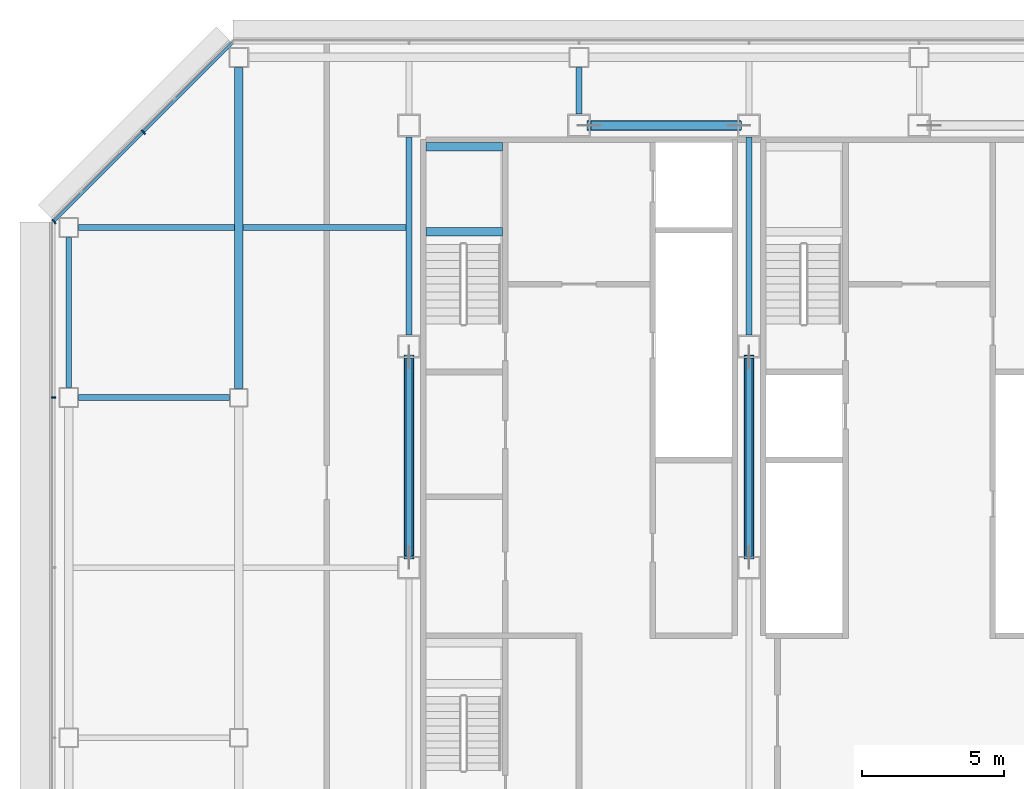
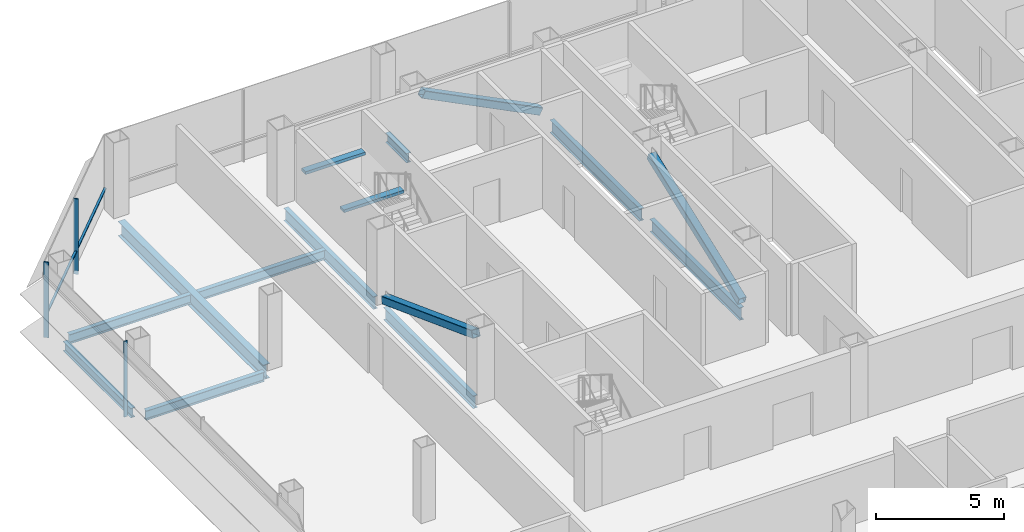
# One storey, part 11 of 24: 12 beams, 7 members, 2 elements without a shape of their own.
"""IFC4 building model written with IfcOpenShell, lengths in metres."""

from ifc_helpers import new_model, si_unit, direction, frame, origin, origin_2d, place, context, subcontext, project, spatial, rectangle, hollow_rectangle, i_section, extrude, material, material_profile, profile_set, type_object, element, aggregate, save


model = new_model("IFC4")

# Units and contexts
model_context = context("Model", 3, precision=1e-05, world=origin(), true_north=direction((0.0, 1.0)))
body_context = subcontext(model_context, "Body", "Model", "MODEL_VIEW")
ifc_project = project(units=[si_unit("LENGTHUNIT", "METRE"), si_unit("AREAUNIT", "SQUARE_METRE"), si_unit("VOLUMEUNIT", "CUBIC_METRE"), si_unit("PLANEANGLEUNIT", "RADIAN"), si_unit("MASSUNIT", "GRAM", prefix="KILO")], contexts=[model_context])

# Site, building, storey
site_placement = place(None, origin())
site = spatial("IfcSite", under=ifc_project, at=site_placement, CompositionType="ELEMENT")
building_placement = place(site_placement, origin())
building = spatial("IfcBuilding", under=site, at=building_placement, Name="Sorahane Residences", CompositionType="ELEMENT")
storey_placement = place(building_placement, frame((0.0, 0.0, 178.0)))
storey = spatial("IfcBuildingStorey", under=building, at=storey_placement, Name="L41", CompositionType="ELEMENT", Elevation=178.0)

# Members
ifc_material_1 = material(Name="Steel Q355B", Category="steel")
ifc_material_profile_1 = material_profile(ifc_material_1, hollow_rectangle(XDim=0.35009765625, YDim=0.35009765625, WallThickness=0.01806640625, InnerFilletRadius=0.009033203125, OuterFilletRadius=0.027099609375, at=origin_2d()), Name="RHS 350x350x18")
ifc_profile_set_1 = profile_set([ifc_material_profile_1], Name="Steel Q355B")
member_type_1 = type_object("IfcMemberType", Name="Core brace RHS 350x350x18 Q355B", PredefinedType="BRACE", material=ifc_profile_set_1)
member_1_placement = place(storey_placement, frame((17.647216796875, 45.60009765625, 0.151123046875), z_axis=(-0.893039246852, 0.0, 0.449978781258), x_axis=(0.0, -1.0, 0.0)))
element("IfcMember", 1, at=member_1_placement, inside=storey, type_object=member_type_1, Name="Core brace L41 y45.6-2", PredefinedType="BRACE", context=body_context, shape_type="SweptSolid", body=[
    extrude(hollow_rectangle(XDim=0.35009765625, YDim=0.35009765625, WallThickness=0.01806640625, InnerFilletRadius=0.009033203125, OuterFilletRadius=0.027099609375, at=origin_2d()), origin(), (0.0, 0.0, 1.0), 5.928466796875),
])
for number, where, z_axis, x_axis, name in (
    (2, (6.0, 37.436767578125, 0.1611328125), (0.0, -0.936540224974, 0.350560133222), (1.0, 0.0, 0.0), "Core brace L41 x6-2"),
    (3, (18.0, 30.36328125, 0.1611328125), (0.0, 0.936540224974, 0.350560133222), (-1.0, 0.0, 0.0), "Core brace L41 x18-1"),
):
    element("IfcMember", number, at=place(storey_placement, frame(where, z_axis=z_axis, x_axis=x_axis)), inside=storey, type_object=member_type_1, Name=name, PredefinedType="BRACE", context=body_context, shape_type="SweptSolid", body=[
        extrude(hollow_rectangle(XDim=0.35009765625, YDim=0.35009765625, WallThickness=0.01806640625, InnerFilletRadius=0.009033203125, OuterFilletRadius=0.027099609375, at=origin_2d()), origin(), (0.0, 0.0, 1.0), 7.552734375),
    ])

# Curtain wall, member
ifc_material_2 = material(Name="Dark low-e glass and black anodised aluminium", Category="aluminium")
curtain_wall_type_1 = type_object("IfcCurtainWallType", Name="Curtain wall CW-1 Typical unitised wall", PredefinedType="NOTDEFINED", material=ifc_material_2)
curtain_wall_1_placement = place(storey_placement, origin())
curtain_wall_1 = element("IfcCurtainWall", 4, at=curtain_wall_1_placement, inside=storey, type_object=curtain_wall_type_1, Name="CW-1 curtain wall L41 W1", PredefinedType="NOTDEFINED")
ifc_material_3 = material(Name="Black anodised aluminium", Category="aluminium")
ifc_material_profile_2 = material_profile(ifc_material_3, rectangle(XDim=0.159912109375, YDim=0.050048828125, at=origin_2d()), Name="Curtain wall mullion CW-1 black anodised aluminium 50x160")
ifc_profile_set_2 = profile_set([ifc_material_profile_2], Name="Black anodised aluminium")
member_type_2 = type_object("IfcMemberType", Name="Curtain wall mullion CW-1 black anodised aluminium 50x160", PredefinedType="MULLION", material=ifc_profile_set_2)
member_2_placement = place(storey_placement, frame((-6.5400390625, 36.0, -0.179931640625), z_axis=(0.0, 0.0, 1.0), x_axis=(-1.0, 0.0, 0.0)))
member_2 = element("IfcMember", 5, at=member_2_placement, type_object=member_type_2, Name="CW-1 mullion L41 W1.2", PredefinedType="MULLION", context=body_context, shape_type="SweptSolid", body=[
    extrude(rectangle(XDim=0.159912109375, YDim=0.050048828125, at=origin_2d()), origin(), (0.0, 0.0, 1.0), 3.599853515625),
])
aggregate(curtain_wall_1, [member_2])

# Curtain wall, members
ifc_material_4 = material(Name="Dark low-e glass and black anodised aluminium", Category="aluminium")
curtain_wall_type_2 = type_object("IfcCurtainWallType", Name="Curtain wall CW-2 Chamfer unitised wall", PredefinedType="NOTDEFINED", material=ifc_material_4)
curtain_wall_2_placement = place(storey_placement, origin())
curtain_wall_2 = element("IfcCurtainWall", 6, at=curtain_wall_2_placement, inside=storey, type_object=curtain_wall_type_2, Name="CW-2 curtain wall L41 NW1", PredefinedType="NOTDEFINED")
ifc_material_5 = material(Name="Black anodised aluminium", Category="aluminium")
ifc_material_profile_3 = material_profile(ifc_material_5, rectangle(XDim=0.199951171875, YDim=0.050048828125, at=origin_2d()), Name="Curtain wall mullion CW-2 black anodised aluminium 50x200")
ifc_profile_set_3 = profile_set([ifc_material_profile_3], Name="Black anodised aluminium")
member_type_3 = type_object("IfcMemberType", Name="Curtain wall mullion CW-2 black anodised aluminium 50x200", PredefinedType="MULLION", material=ifc_profile_set_3)
member_3_placement = place(storey_placement, frame((-3.36767578125, 45.36767578125, -0.179931640625), z_axis=(0.0, 0.0, 1.0), x_axis=(-0.707106781187, 0.707106781187, 0.0)))
member_3 = element("IfcMember", 7, at=member_3_placement, type_object=member_type_3, Name="CW-2 mullion L41 NW1.2", PredefinedType="MULLION", context=body_context, shape_type="SweptSolid", body=[
    extrude(rectangle(XDim=0.199951171875, YDim=0.050048828125, at=origin_2d()), origin(), (0.0, 0.0, 1.0), 3.599853515625),
])
member_4_placement = place(storey_placement, frame((-6.525634765625, 42.209716796875, -0.179931640625), z_axis=(0.0, 0.0, 1.0), x_axis=(-0.707106781187, 0.707106781187, 0.0)))
member_4 = element("IfcMember", 8, at=member_4_placement, type_object=member_type_3, Name="CW-2 mullion L41 NW1.3", PredefinedType="MULLION", context=body_context, shape_type="SweptSolid", body=[
    extrude(rectangle(XDim=0.199951171875, YDim=0.050048828125, at=origin_2d()), origin(), (0.0, 0.0, 1.0), 3.599853515625),
])
ifc_material_6 = material(Name="Black anodised aluminium", Category="aluminium")
ifc_material_profile_4 = material_profile(ifc_material_6, rectangle(XDim=0.10009765625, YDim=0.06005859375, at=origin_2d()), Name="Curtain wall transom CW-2 black anodised aluminium 60x100")
ifc_profile_set_4 = profile_set([ifc_material_profile_4], Name="Black anodised aluminium")
member_type_4 = type_object("IfcMemberType", Name="Curtain wall transom CW-2 black anodised aluminium 60x100", PredefinedType="USERDEFINED", material=ifc_profile_set_4)
member_5_placement = place(storey_placement, frame((-0.234375, 48.51513671875, 0.89990234375), z_axis=(-0.707106781187, -0.707106781187, 0.0), x_axis=(0.707106781187, -0.707106781187, 0.0)))
member_5 = element("IfcMember", 9, at=member_5_placement, type_object=member_type_4, Name="CW-2 transom L41 NW1", ObjectType="TRANSOM", PredefinedType="USERDEFINED", context=body_context, shape_type="SweptSolid", body=[
    extrude(rectangle(XDim=0.10009765625, YDim=0.06005859375, at=origin_2d()), origin(), (0.0, 0.0, 1.0), 8.88232421875),
])
aggregate(curtain_wall_2, [member_3, member_4, member_5])

# Beams
ifc_material_7 = material(Name="Concrete C40", Category="concrete")
ifc_material_profile_5 = material_profile(ifc_material_7, rectangle(XDim=0.300048828125, YDim=0.139892578125, at=origin_2d()), Name="300x140")
ifc_profile_set_5 = profile_set([ifc_material_profile_5], Name="Concrete C40")
beam_type_1 = type_object("IfcBeamType", Name="RC landing beam 300 x 140 Concrete C40", PredefinedType="BEAM", material=ifc_profile_set_5)
for number, where, z_axis, x_axis, name in (
    (10, (6.60009765625, 41.85009765625, 1.530029296875), (1.0, 0.0, 0.0), (0.0, 1.0, 0.0), "Landing beam"),
    (11, (6.60009765625, 44.85009765625, 1.530029296875), (1.0, 0.0, 0.0), (0.0, 1.0, 0.0), "Landing beam"),
):
    element("IfcBeam", number, at=place(storey_placement, frame(where, z_axis=z_axis, x_axis=x_axis)), inside=storey, type_object=beam_type_1, Name=name, PredefinedType="BEAM", context=body_context, shape_type="SweptSolid", body=[
        extrude(rectangle(XDim=0.300048828125, YDim=0.139892578125, at=origin_2d()), origin(), (0.0, 0.0, 1.0), 2.699951171875),
    ])
ifc_material_8 = material(Name="Steel Q355B", Category="steel")
ifc_material_profile_6 = material_profile(ifc_material_8, i_section(OverallWidth=0.199951171875, OverallDepth=0.449951171875, WebThickness=0.009033203125, FlangeThickness=0.013916015625, FilletRadius=0.02001953125, at=origin_2d()), Name="HN 450x200x9x14")
ifc_profile_set_6 = profile_set([ifc_material_profile_6], Name="Steel Q355B")
beam_type_2 = type_object("IfcBeamType", Name="Steel floor beam HN 450x200x9x14 Q355B", PredefinedType="BEAM", material=ifc_profile_set_6)
beam_1_placement = place(storey_placement, frame((-5.64990234375, 36.0, -0.405029296875), z_axis=(1.0, 0.0, 0.0), x_axis=(0.0, 1.0, 0.0)))
element("IfcBeam", 12, at=beam_1_placement, inside=storey, type_object=beam_type_2, Name="Beam L41 013", PredefinedType="BEAM", context=body_context, shape_type="SweptSolid", body=[
    extrude(i_section(OverallWidth=0.199951171875, OverallDepth=0.449951171875, WebThickness=0.009033203125, FlangeThickness=0.013916015625, FilletRadius=0.02001953125, at=origin_2d()), origin(), (0.0, 0.0, 1.0), 5.324951171875),
])
beam_2_placement = place(storey_placement, frame((-6.0, 36.35009765625, -0.405029296875), z_axis=(0.0, 1.0, 0.0), x_axis=(-1.0, 0.0, 0.0)))
element("IfcBeam", 13, at=beam_2_placement, inside=storey, type_object=beam_type_2, Name="Beam L41 023", PredefinedType="BEAM", context=body_context, shape_type="SweptSolid", body=[
    extrude(i_section(OverallWidth=0.199951171875, OverallDepth=0.449951171875, WebThickness=0.009033203125, FlangeThickness=0.013916015625, FilletRadius=0.02001953125, at=origin_2d()), origin(), (0.0, 0.0, 1.0), 5.2998046875),
])
beam_3_placement = place(storey_placement, frame((12.0, 46.0, -0.405029296875), z_axis=(0.0, 1.0, 0.0), x_axis=(-1.0, 0.0, 0.0)))
element("IfcBeam", 14, at=beam_3_placement, inside=storey, type_object=beam_type_2, Name="Beam L41 035", PredefinedType="BEAM", context=body_context, shape_type="SweptSolid", body=[
    extrude(i_section(OverallWidth=0.199951171875, OverallDepth=0.449951171875, WebThickness=0.009033203125, FlangeThickness=0.013916015625, FilletRadius=0.02001953125, at=origin_2d()), origin(), (0.0, 0.0, 1.0), 1.64990234375),
])
beam_4_placement = place(storey_placement, frame((-5.64990234375, 42.0, -0.405029296875), z_axis=(1.0, 0.0, 0.0), x_axis=(0.0, 1.0, 0.0)))
element("IfcBeam", 15, at=beam_4_placement, inside=storey, type_object=beam_type_2, Name="Beam L41 089", PredefinedType="BEAM", context=body_context, shape_type="SweptSolid", body=[
    extrude(i_section(OverallWidth=0.199951171875, OverallDepth=0.449951171875, WebThickness=0.009033203125, FlangeThickness=0.013916015625, FilletRadius=0.02001953125, at=origin_2d()), origin(), (0.0, 0.0, 1.0), 5.5),
])
beam_5_placement = place(storey_placement, frame((0.14990234375, 42.0, -0.405029296875), z_axis=(1.0, 0.0, 0.0), x_axis=(0.0, 1.0, 0.0)))
element("IfcBeam", 16, at=beam_5_placement, inside=storey, type_object=beam_type_2, Name="Beam L41 090", PredefinedType="BEAM", context=body_context, shape_type="SweptSolid", body=[
    extrude(i_section(OverallWidth=0.199951171875, OverallDepth=0.449951171875, WebThickness=0.009033203125, FlangeThickness=0.013916015625, FilletRadius=0.02001953125, at=origin_2d()), origin(), (0.0, 0.0, 1.0), 5.75),
])
ifc_material_9 = material(Name="Steel Q355B", Category="steel")
ifc_material_profile_7 = material_profile(ifc_material_9, i_section(OverallWidth=0.199951171875, OverallDepth=0.60009765625, WebThickness=0.010986328125, FlangeThickness=0.01708984375, FilletRadius=0.02392578125, at=origin_2d()), Name="HN 600x200x11x17")
ifc_profile_set_7 = profile_set([ifc_material_profile_7], Name="Steel Q355B")
beam_type_3 = type_object("IfcBeamType", Name="Steel floor beam HN 600x200x11x17 Q355B", PredefinedType="BEAM", material=ifc_profile_set_7)
for number, where, z_axis, x_axis, name in (
    (17, (6.0, 30.39990234375, -0.47998046875), (0.0, 1.0, 0.0), (-1.0, 0.0, 0.0), "Beam L41 031"),
    (18, (6.0, 38.199951171875, -0.47998046875), (0.0, 1.0, 0.0), (-1.0, 0.0, 0.0), "Beam L41 032"),
    (19, (18.0, 30.39990234375, -0.47998046875), (0.0, 1.0, 0.0), (-1.0, 0.0, 0.0), "Beam L41 039"),
    (20, (18.0, 38.199951171875, -0.47998046875), (0.0, 1.0, 0.0), (-1.0, 0.0, 0.0), "Beam L41 040"),
):
    element("IfcBeam", number, at=place(storey_placement, frame(where, z_axis=z_axis, x_axis=x_axis)), inside=storey, type_object=beam_type_3, Name=name, PredefinedType="BEAM", context=body_context, shape_type="SweptSolid", body=[
        extrude(i_section(OverallWidth=0.199951171875, OverallDepth=0.60009765625, WebThickness=0.010986328125, FlangeThickness=0.01708984375, FilletRadius=0.02392578125, at=origin_2d()), origin(), (0.0, 0.0, 1.0), 7.0),
    ])
ifc_material_10 = material(Name="Steel Q355B", Category="steel")
ifc_material_profile_8 = material_profile(ifc_material_10, i_section(OverallWidth=0.300048828125, OverallDepth=0.699951171875, WebThickness=0.012939453125, FlangeThickness=0.02392578125, FilletRadius=0.028076171875, at=origin_2d()), Name="HN 700x300x13x24")
ifc_profile_set_8 = profile_set([ifc_material_profile_8], Name="Steel Q355B")
beam_type_4 = type_object("IfcBeamType", Name="Steel floor beam HN 700x300x13x24 Q355B", PredefinedType="BEAM", material=ifc_profile_set_8)
beam_6_placement = place(storey_placement, frame((0.0, 36.324951171875, -0.530029296875), z_axis=(0.0, 1.0, 0.0), x_axis=(-1.0, 0.0, 0.0)))
element("IfcBeam", 21, at=beam_6_placement, inside=storey, type_object=beam_type_4, Name="Beam L41 027", PredefinedType="BEAM", context=body_context, shape_type="SweptSolid", body=[
    extrude(i_section(OverallWidth=0.300048828125, OverallDepth=0.699951171875, WebThickness=0.012939453125, FlangeThickness=0.02392578125, FilletRadius=0.028076171875, at=origin_2d()), origin(), (0.0, 0.0, 1.0), 11.324951171875),
])

save(model, "model.ifc")
